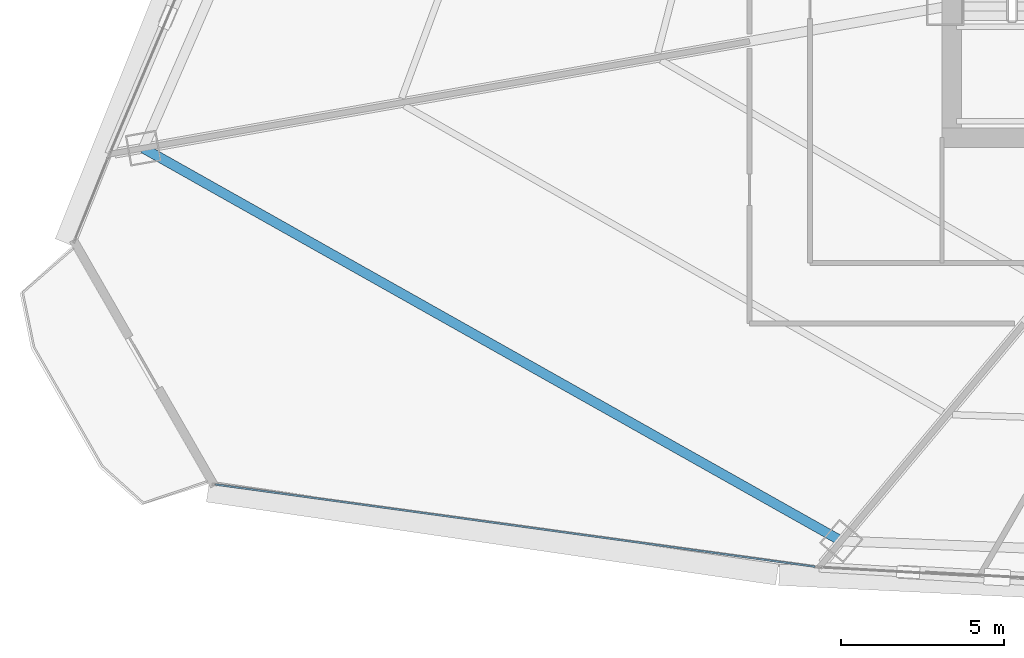
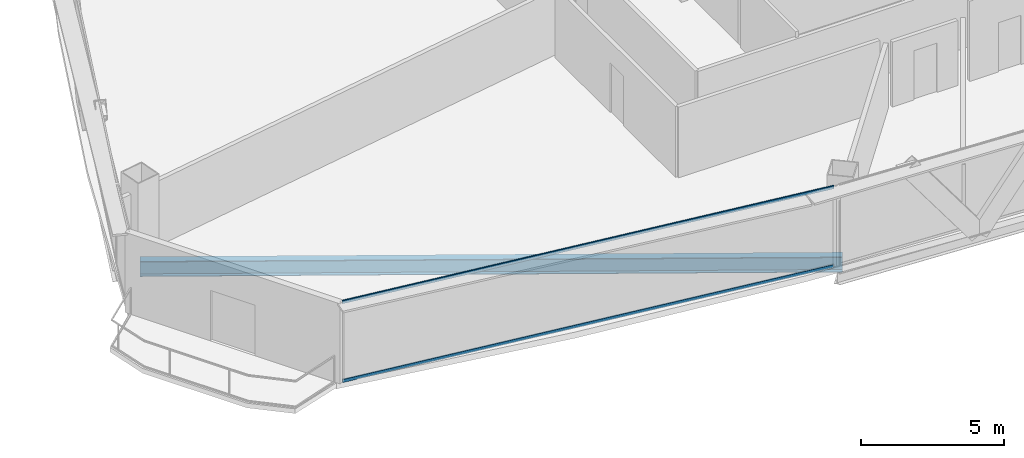
# One storey, part 3 of 39: 2 members, 1 beam, 1 element without a shape of its own.
"""IFC4 building model written with IfcOpenShell, lengths in metres."""

import ifcopenshell
import ifcopenshell.guid

model = None  # the IFC model being written
_history = None  # IfcOwnerHistory: only IFC2X3 demands one
_inside = {}  # id of a spatial element -> (the spatial element, [elements in it])
_under = {}  # id of a project, library or spatial element -> (it, [spatial elements below it])
_declared = {}  # id of a project -> (the project, [libraries it declares])
_typed = {}  # id of a type object -> (the type object, [elements of that type])
_made_of = {}  # id of a material, layer set ... -> (it, [elements and type objects made of it])


def new_model(schema):
    """Start an empty IFC model of exactly this schema.

    Asked for "IFC4X3", IfcOpenShell would pick the latest addendum, in which some entities
    have other attributes; the version numbers below select the first issue.
    IFC2X3 requires an IfcOwnerHistory on every rooted entity: one is made here for all.
    """
    global model, _history
    if schema == "IFC4X3":
        model = ifcopenshell.file(schema_version=(4, 3, 0, 0))
    else:
        model = ifcopenshell.file(schema=schema)
    _inside.clear()
    _under.clear()
    _declared.clear()
    _typed.clear()
    _made_of.clear()
    _history = None
    if model.schema == "IFC2X3":
        org = make("IfcOrganization", Name="unknown")
        user = make(
            "IfcPersonAndOrganization",
            ThePerson=make("IfcPerson", FamilyName="unknown"),
            TheOrganization=org,
        )
        app = make(
            "IfcApplication",
            ApplicationDeveloper=org,
            Version="unknown",
            ApplicationFullName="unknown",
            ApplicationIdentifier="unknown",
        )
        _history = make(
            "IfcOwnerHistory",
            OwningUser=user,
            OwningApplication=app,
            ChangeAction="ADDED",
            CreationDate=0,
        )
    return model


def make(cls, **values):
    """One entity of the class cls with the attributes given. An attribute that is None is left unset."""
    return model.create_entity(
        cls, **{name: value for name, value in values.items() if value is not None}
    )


def rooted(cls, **values):
    """An entity with a GlobalId (a new one), such as an element, a storey or a relation."""
    return make(cls, GlobalId=ifcopenshell.guid.new(), OwnerHistory=_history, **values)


def si_unit(unit_type, name, prefix=None):
    """IfcSIUnit, for example si_unit("LENGTHUNIT", "METRE", prefix="MILLI")."""
    return make("IfcSIUnit", UnitType=unit_type, Prefix=prefix, Name=name)


def assignment(units):
    """IfcUnitAssignment: the units of a project."""
    return None if units is None else make("IfcUnitAssignment", Units=units)


def point(xyz):
    """IfcCartesianPoint."""
    return None if xyz is None else make("IfcCartesianPoint", Coordinates=xyz)


def direction(xyz):
    """IfcDirection."""
    return None if xyz is None else make("IfcDirection", DirectionRatios=xyz)


def frame(location, z_axis=None, x_axis=None):
    """IfcAxis2Placement3D, a coordinate frame: its origin and axes. An axis left out is left unset."""
    return make(
        "IfcAxis2Placement3D",
        Location=point(location),
        Axis=direction(z_axis),
        RefDirection=direction(x_axis),
    )


def frame_2d(location, x_axis=None):
    """IfcAxis2Placement2D, a coordinate frame in the plane: its origin and x axis."""
    return make(
        "IfcAxis2Placement2D", Location=point(location), RefDirection=direction(x_axis)
    )


def origin():
    """The frame at (0, 0, 0) with its axes left unset."""
    return frame((0.0, 0.0, 0.0))


def origin_2d():
    """The frame at (0, 0) in the plane with its x axis left unset."""
    return frame_2d((0.0, 0.0))


def place(relative_to, where):
    """IfcLocalPlacement: puts the frame where relative to a parent placement (None: the world)."""
    return make(
        "IfcLocalPlacement", PlacementRelTo=relative_to, RelativePlacement=where
    )


def context(
    kind, dimensions, precision=None, world=None, true_north=None, identifier=None
):
    """IfcGeometricRepresentationContext, for example the 3D "Model" context."""
    return make(
        "IfcGeometricRepresentationContext",
        ContextIdentifier=identifier,
        ContextType=kind,
        CoordinateSpaceDimension=dimensions,
        Precision=precision,
        WorldCoordinateSystem=world,
        TrueNorth=true_north,
    )


def subcontext(parent, identifier, kind, view, scale=None):
    """IfcGeometricRepresentationSubContext, for example "Body" below "Model"."""
    return make(
        "IfcGeometricRepresentationSubContext",
        ContextIdentifier=identifier,
        ContextType=kind,
        ParentContext=parent,
        TargetScale=scale,
        TargetView=view,
    )


def project(units=None, contexts=None):
    """IfcProject with its units and contexts."""
    return rooted(
        "IfcProject",
        Name="project",
        RepresentationContexts=contexts,
        UnitsInContext=assignment(units),
    )


def spatial(cls, under=None, at=None, **own):
    """A site, building, storey or space (cls), placed at a placement, below another one or the project."""
    s = rooted(cls, ObjectPlacement=at, **own)
    if under is not None:
        _under.setdefault(under.id(), (under, []))[1].append(s)
    return s


def profile(cls, at=None, kind="AREA", **sizes):
    """A parametric profile (cls). Its sizes go by their IFC names, for example OverallWidth=200.0."""
    return make(cls, ProfileType=kind, Position=at, **sizes)


def hollow_rectangle(**sizes):
    """IfcRectangleHollowProfileDef."""
    return profile("IfcRectangleHollowProfileDef", **sizes)


def i_section(**sizes):
    """IfcIShapeProfileDef."""
    return profile("IfcIShapeProfileDef", **sizes)


def extrude(swept, where, along, depth):
    """IfcExtrudedAreaSolid: the profile swept, set in the frame where, extruded along a direction by depth."""
    return make(
        "IfcExtrudedAreaSolid",
        SweptArea=swept,
        Position=where,
        ExtrudedDirection=direction(along),
        Depth=depth,
    )


def shape(context_of_items, identifier, shape_type, items):
    """IfcShapeRepresentation: the items that make up one representation, for example the "Body"."""
    return make(
        "IfcShapeRepresentation",
        ContextOfItems=context_of_items,
        RepresentationIdentifier=identifier,
        RepresentationType=shape_type,
        Items=items,
    )


def source(mapping_origin, context_of_items, identifier, shape_type, items):
    """IfcRepresentationMap: a shape defined once, which mapped items show again and again."""
    return make(
        "IfcRepresentationMap",
        MappingOrigin=mapping_origin,
        MappedRepresentation=shape(context_of_items, identifier, shape_type, items),
    )


def transform(
    local_origin,
    x_axis=None,
    y_axis=None,
    z_axis=None,
    scale=None,
    scale2=None,
    scale3=None,
    uniform=True,
):
    """IfcCartesianTransformationOperator3D, or its non-uniform kind. x_axis, y_axis, z_axis: its Axis1, 2, 3."""
    if uniform:
        return make(
            "IfcCartesianTransformationOperator3D",
            Axis1=direction(x_axis),
            Axis2=direction(y_axis),
            LocalOrigin=point(local_origin),
            Scale=scale,
            Axis3=direction(z_axis),
        )
    return make(
        "IfcCartesianTransformationOperator3DnonUniform",
        Axis1=direction(x_axis),
        Axis2=direction(y_axis),
        LocalOrigin=point(local_origin),
        Scale=scale,
        Axis3=direction(z_axis),
        Scale2=scale2,
        Scale3=scale3,
    )


def mapped(mapping_source, mapping_target):
    """IfcMappedItem: shows the shape of a source again, moved by a transform."""
    return make(
        "IfcMappedItem", MappingSource=mapping_source, MappingTarget=mapping_target
    )


def material(Name=None, Category=None):
    """IfcMaterial."""
    return make("IfcMaterial", Name=Name, Category=Category)


def layer(
    of_material, thickness, ventilated=None, Name=None, Category=None, Priority=None
):
    """IfcMaterialLayer: one layer of a wall or slab, of a material (None: an air gap)."""
    return make(
        "IfcMaterialLayer",
        Material=of_material,
        LayerThickness=thickness,
        IsVentilated=ventilated,
        Name=Name,
        Category=Category,
        Priority=Priority,
    )


def layer_set(layers, Name=None):
    """IfcMaterialLayerSet."""
    return make("IfcMaterialLayerSet", MaterialLayers=layers, LayerSetName=Name)


def material_profile(
    of_material, cross_section, Name=None, Category=None, Priority=None
):
    """IfcMaterialProfile: a cross section and its material."""
    return make(
        "IfcMaterialProfile",
        Name=Name,
        Material=of_material,
        Profile=cross_section,
        Priority=Priority,
        Category=Category,
    )


def profile_set(profiles, Name=None, composite=None):
    """IfcMaterialProfileSet."""
    return make(
        "IfcMaterialProfileSet",
        Name=Name,
        MaterialProfiles=profiles,
        CompositeProfile=composite,
    )


def made_of(thing, what):
    """Note that an element or type object is made of a material, layer set ...; save() writes the relation."""
    if what is not None:
        _made_of.setdefault(what.id(), (what, []))[1].append(thing)
    return thing


def type_object(cls, material=None, **own):
    """A type object (cls), such as IfcWallType, which elements share."""
    return made_of(rooted(cls, **own), material)


def element(
    cls,
    number,
    at=None,
    inside=None,
    cuts=None,
    type_object=None,
    material=None,
    context=None,
    identifier="Body",
    shape_type=None,
    held_by="IfcProductDefinitionShape",
    body=None,
    shapes=None,
    **own,
):
    """One element of the class cls, such as IfcWall. Its Tag is "e" and its number.

    at: its placement. inside: the storey or other place that contains it. cuts: it is an
    opening in that element (IfcRelVoidsElement). A single representation is given by context,
    identifier, shape_type and body (its items); several are given by shapes. held_by: the class
    of the entity that holds the representations. save() writes the other relations.
    """
    e = rooted(cls, Tag="e%d" % number, ObjectPlacement=at, **own)
    if body is not None:
        shapes = [shape(context, identifier, shape_type, body)]
    if shapes is not None:
        e.Representation = make(held_by, Representations=shapes)
    if inside is not None:
        _inside.setdefault(inside.id(), (inside, []))[1].append(e)
    if cuts is not None:
        rooted(
            "IfcRelVoidsElement", RelatingBuildingElement=cuts, RelatedOpeningElement=e
        )
    if type_object is not None:
        _typed.setdefault(type_object.id(), (type_object, []))[1].append(e)
    return made_of(e, material)


def aggregate(whole, parts):
    """IfcRelAggregates: a whole, such as a stair, and the parts it consists of."""
    return rooted("IfcRelAggregates", RelatingObject=whole, RelatedObjects=parts)


def save(model, path):
    """Write the relations noted so far, then the file.

    IfcRelAggregates (storeys below a building ...), IfcRelContainedInSpatialStructure (elements
    in a storey), IfcRelDefinesByType, IfcRelAssociatesMaterial and IfcRelDeclares: one each for
    every whole, place, type object, material and project.
    """
    for whole, parts in _under.values():
        aggregate(whole, parts)
    for where, things in _inside.values():
        rooted(
            "IfcRelContainedInSpatialStructure",
            RelatedElements=things,
            RelatingStructure=where,
        )
    for kind, things in _typed.values():
        rooted("IfcRelDefinesByType", RelatedObjects=things, RelatingType=kind)
    for what, things in _made_of.values():
        rooted("IfcRelAssociatesMaterial", RelatedObjects=things, RelatingMaterial=what)
    for by, libraries in _declared.values():
        rooted("IfcRelDeclares", RelatingContext=by, RelatedDefinitions=libraries)
    model.write(path)


model = new_model("IFC4")

# Units and contexts
model_context = context("Model", 3, precision=1e-05, world=origin(), true_north=direction((0.0, 1.0)))
body_context = subcontext(model_context, "Body", "Model", "MODEL_VIEW")
ifc_project = project(units=[si_unit("LENGTHUNIT", "METRE"), si_unit("AREAUNIT", "SQUARE_METRE"), si_unit("VOLUMEUNIT", "CUBIC_METRE"), si_unit("PLANEANGLEUNIT", "RADIAN"), si_unit("MASSUNIT", "GRAM", prefix="KILO"), si_unit("THERMODYNAMICTEMPERATUREUNIT", "KELVIN"), si_unit("POWERUNIT", "WATT")], contexts=[model_context])

# Site, building, storey
site_placement = place(None, origin())
site = spatial("IfcSite", under=ifc_project, at=site_placement, CompositionType="ELEMENT")
building_placement = place(site_placement, origin())
building = spatial("IfcBuilding", under=site, at=building_placement, Name="Yunzhuo Pagoda Commons", CompositionType="ELEMENT")
storey_placement = place(building_placement, frame((0.0, 0.0, 166.6298828125)))
storey = spatial("IfcBuildingStorey", under=building, at=storey_placement, Name="L42", CompositionType="ELEMENT", Elevation=166.6298828125)

# Beam
ifc_material_1 = material(Name="Structural steel Q355B", Category="steel")
ifc_material_profile_1 = material_profile(ifc_material_1, i_section(OverallWidth=0.300048828125, OverallDepth=0.64990234375, WebThickness=0.012939453125, FlangeThickness=0.02197265625, at=origin_2d()), Name="Structural steel Q355B")
ifc_profile_set_1 = profile_set([ifc_material_profile_1], Name="Structural steel Q355B")
beam_type = type_object("IfcBeamType", Name="B-RG2 Beam HN 650x300x13x22", PredefinedType="BEAM", material=ifc_profile_set_1)
shared_shape_1 = source(origin(), body_context, "Body", "SweptSolid", [
    extrude(i_section(OverallWidth=0.300048828125, OverallDepth=0.64990234375, WebThickness=0.012939453125, FlangeThickness=0.02197265625, at=origin_2d()), origin(), (0.0, 0.0, 1.0), 24.56982421875),
])
beam_placement = place(storey_placement, frame((11.0029296875, 27.176513671875, -0.5849609375), z_axis=(0.871469103633, -0.490450406681, 0.0), x_axis=(0.490450406681, 0.871469103633, 0.0)))
element("IfcBeam", 1, at=beam_placement, inside=storey, type_object=beam_type, Name="L42 column-ring beam 12", PredefinedType="BEAM", context=body_context, shape_type="MappedRepresentation", body=[
    mapped(shared_shape_1, transform((0.0, 0.0, 0.0), scale=1.0)),
])

# Curtain wall, members
ifc_material_2 = material(Name="Anodized aluminium 6063-T6", Category="aluminium")
ifc_layer = layer(ifc_material_2, 0.14990234375)
ifc_layer_set = layer_set([ifc_layer], Name="Anodized aluminium 6063-T6")
curtain_wall_type = type_object("IfcCurtainWallType", Name="CW-MID Mid-Zone Ribbon Curtain Wall", PredefinedType="NOTDEFINED", material=ifc_layer_set)
curtain_wall_placement = place(storey_placement, origin())
curtain_wall = element("IfcCurtainWall", 2, at=curtain_wall_placement, inside=storey, type_object=curtain_wall_type, Name="L42 curtain wall CW-L42-F1B1", PredefinedType="NOTDEFINED")
ifc_material_profile_2 = material_profile(ifc_material_2, hollow_rectangle(XDim=0.054931640625, YDim=0.1298828125, WallThickness=0.00341796875, at=origin_2d()), Name="Anodized aluminium 6063-T6")
ifc_profile_set_2 = profile_set([ifc_material_profile_2], Name="Anodized aluminium 6063-T6")
member_type = type_object("IfcMemberType", Name="CW-MID-T Transom RHS 130x55x3.5", PredefinedType="USERDEFINED", material=ifc_profile_set_2)
shared_shape_2 = source(origin(), body_context, "Body", "SweptSolid", [
    extrude(hollow_rectangle(XDim=0.054931640625, YDim=0.1298828125, WallThickness=0.00341796875, at=origin_2d()), origin(), (0.0, 0.0, 1.0), 18.559814453125),
])
member_1_placement = place(storey_placement, frame((13.21826171875, 16.860107421875, 0.027587890625), z_axis=(0.990741021936, -0.135765339663, 0.0), x_axis=(0.135765339663, 0.990741021936, 0.0)))
member_1 = element("IfcMember", 3, at=member_1_placement, type_object=member_type, Name="CW transom 1.1", ObjectType="TRANSOM", PredefinedType="USERDEFINED", context=body_context, shape_type="MappedRepresentation", body=[
    mapped(shared_shape_2, transform((0.0, 0.0, 0.0), scale=1.0)),
])
member_2_placement = place(storey_placement, frame((13.21826171875, 16.860107421875, 3.392578125), z_axis=(0.990741021936, -0.135765339663, 0.0), x_axis=(0.135765339663, 0.990741021936, 0.0)))
member_2 = element("IfcMember", 4, at=member_2_placement, type_object=member_type, Name="CW transom 1.2", ObjectType="TRANSOM", PredefinedType="USERDEFINED", context=body_context, shape_type="MappedRepresentation", body=[
    mapped(shared_shape_2, transform((0.0, 0.0, 0.0), scale=1.0)),
])
aggregate(curtain_wall, [member_1, member_2])

save(model, "model.ifc")
